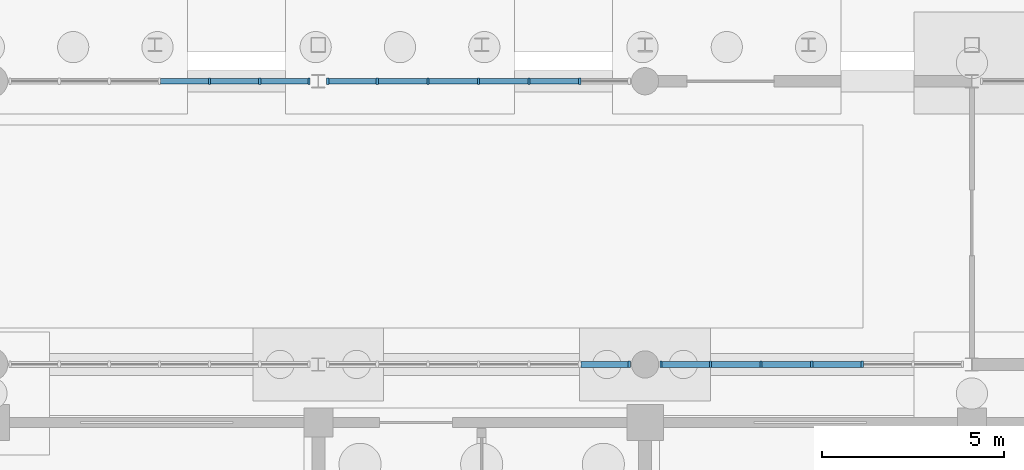
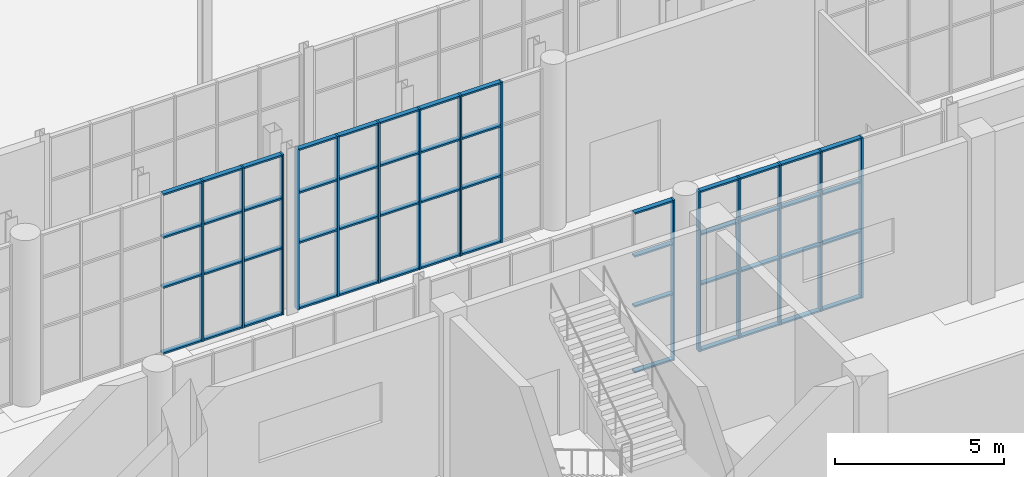
# One storey, part 64 of 131: 67 members, 4 elements without a shape of their own.
"""IFC4 building model written with IfcOpenShell, lengths in metres."""

from ifc_helpers import new_model, si_unit, direction, frame, origin, origin_2d, place, context, subcontext, project, spatial, rectangle, extrude, material, layer, layer_set, material_profile, profile_set, type_object, element, aggregate, save


model = new_model("IFC4")

# Units and contexts
model_context = context("Model", 3, precision=1e-05, world=origin(), true_north=direction((0.0, 1.0)))
body_context = subcontext(model_context, "Body", "Model", "MODEL_VIEW")
ifc_project = project(units=[si_unit("LENGTHUNIT", "METRE"), si_unit("AREAUNIT", "SQUARE_METRE"), si_unit("VOLUMEUNIT", "CUBIC_METRE"), si_unit("PLANEANGLEUNIT", "RADIAN"), si_unit("MASSUNIT", "GRAM", prefix="KILO")], contexts=[model_context])

# Site, building, storey
site_placement = place(None, origin())
site = spatial("IfcSite", under=ifc_project, at=site_placement, CompositionType="ELEMENT")
building_placement = place(site_placement, origin())
building = spatial("IfcBuilding", under=site, at=building_placement, Name="Cazmaro Siding Exhibition Halls", CompositionType="ELEMENT")
storey_placement = place(building_placement, origin())
storey = spatial("IfcBuildingStorey", under=building, at=storey_placement, Name="L00", CompositionType="ELEMENT", Elevation=0.0)

# Curtain wall, members
ifc_material_1 = material(Name="Anodized Bronze Aluminum and Solar-Control Low-E Glazing", Category="aluminium")
ifc_layer = layer(ifc_material_1, 0.179931640625)
ifc_layer_set = layer_set([ifc_layer], Name="Anodized Bronze Aluminum and Solar-Control Low-E Glazing")
curtain_wall_type = type_object("IfcCurtainWallType", Name="CWS-01", PredefinedType="USERDEFINED", material=ifc_layer_set)
curtain_wall_1_placement = place(storey_placement, origin())
curtain_wall_1 = element("IfcCurtainWall", 1, at=curtain_wall_1_placement, inside=storey, type_object=curtain_wall_type, Name="Glazed Curtain Wall CWS-01 CW-191", ObjectType="GLAZED CURTAIN WALL", PredefinedType="USERDEFINED")
ifc_material_2 = material(Name="Anodized Bronze Extruded Aluminum", Category="aluminium")
ifc_material_profile_1 = material_profile(ifc_material_2, rectangle(XDim=0.179931640625, YDim=0.06005859375, at=origin_2d()), Name="CWM-01")
ifc_profile_set_1 = profile_set([ifc_material_profile_1], Name="Anodized Bronze Extruded Aluminum")
member_type_1 = type_object("IfcMemberType", Name="CWM-01", PredefinedType="MULLION", material=ifc_profile_set_1)
member_1_placement = place(storey_placement, frame((134.739990234375, 63.0, 0.0), z_axis=(0.0, 0.0, 1.0), x_axis=(0.0, -1.0, 0.0)))
member_1 = element("IfcMember", 2, at=member_1_placement, type_object=member_type_1, Name="CWS-01 mullion 1", PredefinedType="MULLION", context=body_context, shape_type="SweptSolid", body=[
    extrude(rectangle(XDim=0.179931640625, YDim=0.06005859375, at=origin_2d()), origin(), (0.0, 0.0, 1.0), 5.780029296875),
])
member_2_placement = place(storey_placement, frame((133.388916015625, 63.0, 0.0), z_axis=(0.0, 0.0, 1.0), x_axis=(0.0, -1.0, 0.0)))
member_2 = element("IfcMember", 3, at=member_2_placement, type_object=member_type_1, Name="CWS-01 mullion 2", PredefinedType="MULLION", context=body_context, shape_type="SweptSolid", body=[
    extrude(rectangle(XDim=0.179931640625, YDim=0.06005859375, at=origin_2d()), origin(), (0.0, 0.0, 1.0), 5.780029296875),
])
member_3_placement = place(storey_placement, frame((132.007568359375, 63.0, 0.0), z_axis=(0.0, 0.0, 1.0), x_axis=(0.0, -1.0, 0.0)))
member_3 = element("IfcMember", 4, at=member_3_placement, type_object=member_type_1, Name="CWS-01 mullion 3", PredefinedType="MULLION", context=body_context, shape_type="SweptSolid", body=[
    extrude(rectangle(XDim=0.179931640625, YDim=0.06005859375, at=origin_2d()), origin(), (0.0, 0.0, 1.0), 5.780029296875),
])

# Curtain wall, member
curtain_wall_2_placement = place(storey_placement, origin())
curtain_wall_2 = element("IfcCurtainWall", 5, at=curtain_wall_2_placement, inside=storey, type_object=curtain_wall_type, Name="Glazed Curtain Wall CWS-01 CW-196", ObjectType="GLAZED CURTAIN WALL", PredefinedType="USERDEFINED")
member_4_placement = place(storey_placement, frame((143.56201171875, 55.199951171875, 0.0), z_axis=(0.0, 0.0, 1.0), x_axis=(0.0, 1.0, 0.0)))
member_4 = element("IfcMember", 6, at=member_4_placement, type_object=member_type_1, Name="CWS-01 mullion 7", PredefinedType="MULLION", context=body_context, shape_type="SweptSolid", body=[
    extrude(rectangle(XDim=0.179931640625, YDim=0.06005859375, at=origin_2d()), origin(), (0.0, 0.0, 1.0), 5.780029296875),
])

# Curtain wall, members
curtain_wall_3_placement = place(storey_placement, origin())
curtain_wall_3 = element("IfcCurtainWall", 7, at=curtain_wall_3_placement, inside=storey, type_object=curtain_wall_type, Name="Glazed Curtain Wall CWS-01 CW-197", ObjectType="GLAZED CURTAIN WALL", PredefinedType="USERDEFINED")
member_5_placement = place(storey_placement, frame((142.1982421875, 63.0, 0.0), z_axis=(0.0, 0.0, 1.0), x_axis=(0.0, -1.0, 0.0)))
member_5 = element("IfcMember", 8, at=member_5_placement, type_object=member_type_1, Name="CWS-01 mullion 2", PredefinedType="MULLION", context=body_context, shape_type="SweptSolid", body=[
    extrude(rectangle(XDim=0.179931640625, YDim=0.06005859375, at=origin_2d()), origin(), (0.0, 0.0, 1.0), 5.780029296875),
])
member_6_placement = place(storey_placement, frame((140.8046875, 63.0, 0.0), z_axis=(0.0, 0.0, 1.0), x_axis=(0.0, -1.0, 0.0)))
member_6 = element("IfcMember", 9, at=member_6_placement, type_object=member_type_1, Name="CWS-01 mullion 3", PredefinedType="MULLION", context=body_context, shape_type="SweptSolid", body=[
    extrude(rectangle(XDim=0.179931640625, YDim=0.06005859375, at=origin_2d()), origin(), (0.0, 0.0, 1.0), 5.780029296875),
])
member_7_placement = place(storey_placement, frame((139.410888671875, 63.0, 0.0), z_axis=(0.0, 0.0, 1.0), x_axis=(0.0, -1.0, 0.0)))
member_7 = element("IfcMember", 10, at=member_7_placement, type_object=member_type_1, Name="CWS-01 mullion 4", PredefinedType="MULLION", context=body_context, shape_type="SweptSolid", body=[
    extrude(rectangle(XDim=0.179931640625, YDim=0.06005859375, at=origin_2d()), origin(), (0.0, 0.0, 1.0), 5.780029296875),
])
member_8_placement = place(storey_placement, frame((138.017333984375, 63.0, 0.0), z_axis=(0.0, 0.0, 1.0), x_axis=(0.0, -1.0, 0.0)))
member_8 = element("IfcMember", 11, at=member_8_placement, type_object=member_type_1, Name="CWS-01 mullion 5", PredefinedType="MULLION", context=body_context, shape_type="SweptSolid", body=[
    extrude(rectangle(XDim=0.179931640625, YDim=0.06005859375, at=origin_2d()), origin(), (0.0, 0.0, 1.0), 5.780029296875),
])
member_9_placement = place(storey_placement, frame((136.623779296875, 63.0, 0.0), z_axis=(0.0, 0.0, 1.0), x_axis=(0.0, -1.0, 0.0)))
member_9 = element("IfcMember", 12, at=member_9_placement, type_object=member_type_1, Name="CWS-01 mullion 6", PredefinedType="MULLION", context=body_context, shape_type="SweptSolid", body=[
    extrude(rectangle(XDim=0.179931640625, YDim=0.06005859375, at=origin_2d()), origin(), (0.0, 0.0, 1.0), 5.780029296875),
])
member_10_placement = place(storey_placement, frame((135.260009765625, 63.0, 0.0), z_axis=(0.0, 0.0, 1.0), x_axis=(0.0, -1.0, 0.0)))
member_10 = element("IfcMember", 13, at=member_10_placement, type_object=member_type_1, Name="CWS-01 mullion 7", PredefinedType="MULLION", context=body_context, shape_type="SweptSolid", body=[
    extrude(rectangle(XDim=0.179931640625, YDim=0.06005859375, at=origin_2d()), origin(), (0.0, 0.0, 1.0), 5.780029296875),
])

curtain_wall_4_placement = place(storey_placement, origin())
curtain_wall_4 = element("IfcCurtainWall", 14, at=curtain_wall_4_placement, inside=storey, type_object=curtain_wall_type, Name="Glazed Curtain Wall CWS-01 CW-200", ObjectType="GLAZED CURTAIN WALL", PredefinedType="USERDEFINED")
member_11_placement = place(storey_placement, frame((144.43798828125, 55.199951171875, 0.0), z_axis=(0.0, 0.0, 1.0), x_axis=(0.0, 1.0, 0.0)))
member_11 = element("IfcMember", 15, at=member_11_placement, type_object=member_type_1, Name="CWS-01 mullion 1", PredefinedType="MULLION", context=body_context, shape_type="SweptSolid", body=[
    extrude(rectangle(XDim=0.179931640625, YDim=0.06005859375, at=origin_2d()), origin(), (0.0, 0.0, 1.0), 5.780029296875),
])
member_12_placement = place(storey_placement, frame((145.8017578125, 55.199951171875, 0.0), z_axis=(0.0, 0.0, 1.0), x_axis=(0.0, 1.0, 0.0)))
member_12 = element("IfcMember", 16, at=member_12_placement, type_object=member_type_1, Name="CWS-01 mullion 2", PredefinedType="MULLION", context=body_context, shape_type="SweptSolid", body=[
    extrude(rectangle(XDim=0.179931640625, YDim=0.06005859375, at=origin_2d()), origin(), (0.0, 0.0, 1.0), 5.780029296875),
])
member_13_placement = place(storey_placement, frame((147.1953125, 55.199951171875, 0.0), z_axis=(0.0, 0.0, 1.0), x_axis=(0.0, 1.0, 0.0)))
member_13 = element("IfcMember", 17, at=member_13_placement, type_object=member_type_1, Name="CWS-01 mullion 3", PredefinedType="MULLION", context=body_context, shape_type="SweptSolid", body=[
    extrude(rectangle(XDim=0.179931640625, YDim=0.06005859375, at=origin_2d()), origin(), (0.0, 0.0, 1.0), 5.780029296875),
])
member_14_placement = place(storey_placement, frame((148.589111328125, 55.199951171875, 0.0), z_axis=(0.0, 0.0, 1.0), x_axis=(0.0, 1.0, 0.0)))
member_14 = element("IfcMember", 18, at=member_14_placement, type_object=member_type_1, Name="CWS-01 mullion 4", PredefinedType="MULLION", context=body_context, shape_type="SweptSolid", body=[
    extrude(rectangle(XDim=0.179931640625, YDim=0.06005859375, at=origin_2d()), origin(), (0.0, 0.0, 1.0), 5.780029296875),
])
member_15_placement = place(storey_placement, frame((149.982666015625, 55.199951171875, 0.0), z_axis=(0.0, 0.0, 1.0), x_axis=(0.0, 1.0, 0.0)))
member_15 = element("IfcMember", 19, at=member_15_placement, type_object=member_type_1, Name="CWS-01 mullion 5", PredefinedType="MULLION", context=body_context, shape_type="SweptSolid", body=[
    extrude(rectangle(XDim=0.179931640625, YDim=0.06005859375, at=origin_2d()), origin(), (0.0, 0.0, 1.0), 5.780029296875),
])

# Member
ifc_material_3 = material(Name="Anodized Bronze Extruded Aluminum", Category="aluminium")
ifc_material_profile_2 = material_profile(ifc_material_3, rectangle(XDim=0.159912109375, YDim=0.06005859375, at=origin_2d()), Name="CWT-01")
ifc_profile_set_2 = profile_set([ifc_material_profile_2], Name="Anodized Bronze Extruded Aluminum")
member_type_2 = type_object("IfcMemberType", Name="CWT-01", PredefinedType="MULLION", material=ifc_profile_set_2)
member_16_placement = place(storey_placement, frame((134.7099609375, 63.0, 0.030029296875), z_axis=(-1.0, 0.0, 0.0), x_axis=(0.0, -1.0, 0.0)))
member_16 = element("IfcMember", 20, at=member_16_placement, type_object=member_type_2, Name="CWS-01 transom 1.1", ObjectType="TRANSOM", PredefinedType="USERDEFINED", context=body_context, shape_type="SweptSolid", body=[
    extrude(rectangle(XDim=0.159912109375, YDim=0.06005859375, at=origin_2d()), origin(), (0.0, 0.0, 1.0), 1.291015625),
])

member_17_placement = place(storey_placement, frame((134.7099609375, 63.0, 2.39990234375), z_axis=(-1.0, 0.0, 0.0), x_axis=(0.0, -1.0, 0.0)))
member_17 = element("IfcMember", 21, at=member_17_placement, type_object=member_type_2, Name="CWS-01 transom 1.2", ObjectType="TRANSOM", PredefinedType="USERDEFINED", context=body_context, shape_type="SweptSolid", body=[
    extrude(rectangle(XDim=0.159912109375, YDim=0.06005859375, at=origin_2d()), origin(), (0.0, 0.0, 1.0), 1.291015625),
])

member_18_placement = place(storey_placement, frame((134.7099609375, 63.0, 4.199951171875), z_axis=(-1.0, 0.0, 0.0), x_axis=(0.0, -1.0, 0.0)))
member_18 = element("IfcMember", 22, at=member_18_placement, type_object=member_type_2, Name="CWS-01 transom 1.3", ObjectType="TRANSOM", PredefinedType="USERDEFINED", context=body_context, shape_type="SweptSolid", body=[
    extrude(rectangle(XDim=0.159912109375, YDim=0.06005859375, at=origin_2d()), origin(), (0.0, 0.0, 1.0), 1.291015625),
])

member_19_placement = place(storey_placement, frame((134.7099609375, 63.0, 5.75), z_axis=(-1.0, 0.0, 0.0), x_axis=(0.0, -1.0, 0.0)))
member_19 = element("IfcMember", 23, at=member_19_placement, type_object=member_type_2, Name="CWS-01 transom 1.4", ObjectType="TRANSOM", PredefinedType="USERDEFINED", context=body_context, shape_type="SweptSolid", body=[
    extrude(rectangle(XDim=0.159912109375, YDim=0.06005859375, at=origin_2d()), origin(), (0.0, 0.0, 1.0), 1.291015625),
])

member_20_placement = place(storey_placement, frame((133.35888671875, 63.0, 0.030029296875), z_axis=(-1.0, 0.0, 0.0), x_axis=(0.0, -1.0, 0.0)))
member_20 = element("IfcMember", 24, at=member_20_placement, type_object=member_type_2, Name="CWS-01 transom 2.1", ObjectType="TRANSOM", PredefinedType="USERDEFINED", context=body_context, shape_type="SweptSolid", body=[
    extrude(rectangle(XDim=0.159912109375, YDim=0.06005859375, at=origin_2d()), origin(), (0.0, 0.0, 1.0), 1.3212890625),
])

member_21_placement = place(storey_placement, frame((133.35888671875, 63.0, 2.39990234375), z_axis=(-1.0, 0.0, 0.0), x_axis=(0.0, -1.0, 0.0)))
member_21 = element("IfcMember", 25, at=member_21_placement, type_object=member_type_2, Name="CWS-01 transom 2.2", ObjectType="TRANSOM", PredefinedType="USERDEFINED", context=body_context, shape_type="SweptSolid", body=[
    extrude(rectangle(XDim=0.159912109375, YDim=0.06005859375, at=origin_2d()), origin(), (0.0, 0.0, 1.0), 1.3212890625),
])

member_22_placement = place(storey_placement, frame((133.35888671875, 63.0, 4.199951171875), z_axis=(-1.0, 0.0, 0.0), x_axis=(0.0, -1.0, 0.0)))
member_22 = element("IfcMember", 26, at=member_22_placement, type_object=member_type_2, Name="CWS-01 transom 2.3", ObjectType="TRANSOM", PredefinedType="USERDEFINED", context=body_context, shape_type="SweptSolid", body=[
    extrude(rectangle(XDim=0.159912109375, YDim=0.06005859375, at=origin_2d()), origin(), (0.0, 0.0, 1.0), 1.3212890625),
])

member_23_placement = place(storey_placement, frame((133.35888671875, 63.0, 5.75), z_axis=(-1.0, 0.0, 0.0), x_axis=(0.0, -1.0, 0.0)))
member_23 = element("IfcMember", 27, at=member_23_placement, type_object=member_type_2, Name="CWS-01 transom 2.4", ObjectType="TRANSOM", PredefinedType="USERDEFINED", context=body_context, shape_type="SweptSolid", body=[
    extrude(rectangle(XDim=0.159912109375, YDim=0.06005859375, at=origin_2d()), origin(), (0.0, 0.0, 1.0), 1.3212890625),
])

member_24_placement = place(storey_placement, frame((131.977783203125, 63.0, 0.030029296875), z_axis=(-1.0, 0.0, 0.0), x_axis=(0.0, -1.0, 0.0)))
member_24 = element("IfcMember", 28, at=member_24_placement, type_object=member_type_2, Name="CWS-01 transom 3.1", ObjectType="TRANSOM", PredefinedType="USERDEFINED", context=body_context, shape_type="SweptSolid", body=[
    extrude(rectangle(XDim=0.159912109375, YDim=0.06005859375, at=origin_2d()), origin(), (0.0, 0.0, 1.0), 1.3212890625),
])

member_25_placement = place(storey_placement, frame((131.977783203125, 63.0, 2.39990234375), z_axis=(-1.0, 0.0, 0.0), x_axis=(0.0, -1.0, 0.0)))
member_25 = element("IfcMember", 29, at=member_25_placement, type_object=member_type_2, Name="CWS-01 transom 3.2", ObjectType="TRANSOM", PredefinedType="USERDEFINED", context=body_context, shape_type="SweptSolid", body=[
    extrude(rectangle(XDim=0.159912109375, YDim=0.06005859375, at=origin_2d()), origin(), (0.0, 0.0, 1.0), 1.3212890625),
])

member_26_placement = place(storey_placement, frame((131.977783203125, 63.0, 4.199951171875), z_axis=(-1.0, 0.0, 0.0), x_axis=(0.0, -1.0, 0.0)))
member_26 = element("IfcMember", 30, at=member_26_placement, type_object=member_type_2, Name="CWS-01 transom 3.3", ObjectType="TRANSOM", PredefinedType="USERDEFINED", context=body_context, shape_type="SweptSolid", body=[
    extrude(rectangle(XDim=0.159912109375, YDim=0.06005859375, at=origin_2d()), origin(), (0.0, 0.0, 1.0), 1.3212890625),
])

member_27_placement = place(storey_placement, frame((131.977783203125, 63.0, 5.75), z_axis=(-1.0, 0.0, 0.0), x_axis=(0.0, -1.0, 0.0)))
member_27 = element("IfcMember", 31, at=member_27_placement, type_object=member_type_2, Name="CWS-01 transom 3.4", ObjectType="TRANSOM", PredefinedType="USERDEFINED", context=body_context, shape_type="SweptSolid", body=[
    extrude(rectangle(XDim=0.159912109375, YDim=0.06005859375, at=origin_2d()), origin(), (0.0, 0.0, 1.0), 1.3212890625),
])

aggregate(curtain_wall_1, [member_1, member_2, member_3, member_16, member_17, member_18, member_19, member_20, member_21, member_22, member_23, member_24, member_25, member_26, member_27])

member_28_placement = place(storey_placement, frame((142.228271484375, 55.199951171875, 0.030029296875), z_axis=(1.0, 0.0, 0.0), x_axis=(0.0, 1.0, 0.0)))
member_28 = element("IfcMember", 32, at=member_28_placement, type_object=member_type_2, Name="CWS-01 transom 6.1", ObjectType="TRANSOM", PredefinedType="USERDEFINED", context=body_context, shape_type="SweptSolid", body=[
    extrude(rectangle(XDim=0.159912109375, YDim=0.06005859375, at=origin_2d()), origin(), (0.0, 0.0, 1.0), 1.3037109375),
])

member_29_placement = place(storey_placement, frame((142.228271484375, 55.199951171875, 2.39990234375), z_axis=(1.0, 0.0, 0.0), x_axis=(0.0, 1.0, 0.0)))
member_29 = element("IfcMember", 33, at=member_29_placement, type_object=member_type_2, Name="CWS-01 transom 6.2", ObjectType="TRANSOM", PredefinedType="USERDEFINED", context=body_context, shape_type="SweptSolid", body=[
    extrude(rectangle(XDim=0.159912109375, YDim=0.06005859375, at=origin_2d()), origin(), (0.0, 0.0, 1.0), 1.3037109375),
])

member_30_placement = place(storey_placement, frame((142.228271484375, 55.199951171875, 4.199951171875), z_axis=(1.0, 0.0, 0.0), x_axis=(0.0, 1.0, 0.0)))
member_30 = element("IfcMember", 34, at=member_30_placement, type_object=member_type_2, Name="CWS-01 transom 6.3", ObjectType="TRANSOM", PredefinedType="USERDEFINED", context=body_context, shape_type="SweptSolid", body=[
    extrude(rectangle(XDim=0.159912109375, YDim=0.06005859375, at=origin_2d()), origin(), (0.0, 0.0, 1.0), 1.3037109375),
])

member_31_placement = place(storey_placement, frame((142.228271484375, 55.199951171875, 5.75), z_axis=(1.0, 0.0, 0.0), x_axis=(0.0, 1.0, 0.0)))
member_31 = element("IfcMember", 35, at=member_31_placement, type_object=member_type_2, Name="CWS-01 transom 6.4", ObjectType="TRANSOM", PredefinedType="USERDEFINED", context=body_context, shape_type="SweptSolid", body=[
    extrude(rectangle(XDim=0.159912109375, YDim=0.06005859375, at=origin_2d()), origin(), (0.0, 0.0, 1.0), 1.3037109375),
])

aggregate(curtain_wall_2, [member_4, member_28, member_29, member_30, member_31])

member_32_placement = place(storey_placement, frame((142.168212890625, 63.0, 0.030029296875), z_axis=(-1.0, 0.0, 0.0), x_axis=(0.0, -1.0, 0.0)))
member_32 = element("IfcMember", 36, at=member_32_placement, type_object=member_type_2, Name="CWS-01 transom 2.1", ObjectType="TRANSOM", PredefinedType="USERDEFINED", context=body_context, shape_type="SweptSolid", body=[
    extrude(rectangle(XDim=0.159912109375, YDim=0.06005859375, at=origin_2d()), origin(), (0.0, 0.0, 1.0), 1.33349609375),
])

member_33_placement = place(storey_placement, frame((142.168212890625, 63.0, 2.39990234375), z_axis=(-1.0, 0.0, 0.0), x_axis=(0.0, -1.0, 0.0)))
member_33 = element("IfcMember", 37, at=member_33_placement, type_object=member_type_2, Name="CWS-01 transom 2.2", ObjectType="TRANSOM", PredefinedType="USERDEFINED", context=body_context, shape_type="SweptSolid", body=[
    extrude(rectangle(XDim=0.159912109375, YDim=0.06005859375, at=origin_2d()), origin(), (0.0, 0.0, 1.0), 1.33349609375),
])

member_34_placement = place(storey_placement, frame((142.168212890625, 63.0, 4.199951171875), z_axis=(-1.0, 0.0, 0.0), x_axis=(0.0, -1.0, 0.0)))
member_34 = element("IfcMember", 38, at=member_34_placement, type_object=member_type_2, Name="CWS-01 transom 2.3", ObjectType="TRANSOM", PredefinedType="USERDEFINED", context=body_context, shape_type="SweptSolid", body=[
    extrude(rectangle(XDim=0.159912109375, YDim=0.06005859375, at=origin_2d()), origin(), (0.0, 0.0, 1.0), 1.33349609375),
])

member_35_placement = place(storey_placement, frame((142.168212890625, 63.0, 5.75), z_axis=(-1.0, 0.0, 0.0), x_axis=(0.0, -1.0, 0.0)))
member_35 = element("IfcMember", 39, at=member_35_placement, type_object=member_type_2, Name="CWS-01 transom 2.4", ObjectType="TRANSOM", PredefinedType="USERDEFINED", context=body_context, shape_type="SweptSolid", body=[
    extrude(rectangle(XDim=0.159912109375, YDim=0.06005859375, at=origin_2d()), origin(), (0.0, 0.0, 1.0), 1.33349609375),
])

member_36_placement = place(storey_placement, frame((140.774658203125, 63.0, 0.030029296875), z_axis=(-1.0, 0.0, 0.0), x_axis=(0.0, -1.0, 0.0)))
member_36 = element("IfcMember", 40, at=member_36_placement, type_object=member_type_2, Name="CWS-01 transom 3.1", ObjectType="TRANSOM", PredefinedType="USERDEFINED", context=body_context, shape_type="SweptSolid", body=[
    extrude(rectangle(XDim=0.159912109375, YDim=0.06005859375, at=origin_2d()), origin(), (0.0, 0.0, 1.0), 1.333740234375),
])

member_37_placement = place(storey_placement, frame((140.774658203125, 63.0, 2.39990234375), z_axis=(-1.0, 0.0, 0.0), x_axis=(0.0, -1.0, 0.0)))
member_37 = element("IfcMember", 41, at=member_37_placement, type_object=member_type_2, Name="CWS-01 transom 3.2", ObjectType="TRANSOM", PredefinedType="USERDEFINED", context=body_context, shape_type="SweptSolid", body=[
    extrude(rectangle(XDim=0.159912109375, YDim=0.06005859375, at=origin_2d()), origin(), (0.0, 0.0, 1.0), 1.333740234375),
])

member_38_placement = place(storey_placement, frame((140.774658203125, 63.0, 4.199951171875), z_axis=(-1.0, 0.0, 0.0), x_axis=(0.0, -1.0, 0.0)))
member_38 = element("IfcMember", 42, at=member_38_placement, type_object=member_type_2, Name="CWS-01 transom 3.3", ObjectType="TRANSOM", PredefinedType="USERDEFINED", context=body_context, shape_type="SweptSolid", body=[
    extrude(rectangle(XDim=0.159912109375, YDim=0.06005859375, at=origin_2d()), origin(), (0.0, 0.0, 1.0), 1.333740234375),
])

member_39_placement = place(storey_placement, frame((140.774658203125, 63.0, 5.75), z_axis=(-1.0, 0.0, 0.0), x_axis=(0.0, -1.0, 0.0)))
member_39 = element("IfcMember", 43, at=member_39_placement, type_object=member_type_2, Name="CWS-01 transom 3.4", ObjectType="TRANSOM", PredefinedType="USERDEFINED", context=body_context, shape_type="SweptSolid", body=[
    extrude(rectangle(XDim=0.159912109375, YDim=0.06005859375, at=origin_2d()), origin(), (0.0, 0.0, 1.0), 1.333740234375),
])

member_40_placement = place(storey_placement, frame((139.381103515625, 63.0, 0.030029296875), z_axis=(-1.0, 0.0, 0.0), x_axis=(0.0, -1.0, 0.0)))
member_40 = element("IfcMember", 44, at=member_40_placement, type_object=member_type_2, Name="CWS-01 transom 4.1", ObjectType="TRANSOM", PredefinedType="USERDEFINED", context=body_context, shape_type="SweptSolid", body=[
    extrude(rectangle(XDim=0.159912109375, YDim=0.06005859375, at=origin_2d()), origin(), (0.0, 0.0, 1.0), 1.333740234375),
])

member_41_placement = place(storey_placement, frame((139.381103515625, 63.0, 2.39990234375), z_axis=(-1.0, 0.0, 0.0), x_axis=(0.0, -1.0, 0.0)))
member_41 = element("IfcMember", 45, at=member_41_placement, type_object=member_type_2, Name="CWS-01 transom 4.2", ObjectType="TRANSOM", PredefinedType="USERDEFINED", context=body_context, shape_type="SweptSolid", body=[
    extrude(rectangle(XDim=0.159912109375, YDim=0.06005859375, at=origin_2d()), origin(), (0.0, 0.0, 1.0), 1.333740234375),
])

member_42_placement = place(storey_placement, frame((139.381103515625, 63.0, 4.199951171875), z_axis=(-1.0, 0.0, 0.0), x_axis=(0.0, -1.0, 0.0)))
member_42 = element("IfcMember", 46, at=member_42_placement, type_object=member_type_2, Name="CWS-01 transom 4.3", ObjectType="TRANSOM", PredefinedType="USERDEFINED", context=body_context, shape_type="SweptSolid", body=[
    extrude(rectangle(XDim=0.159912109375, YDim=0.06005859375, at=origin_2d()), origin(), (0.0, 0.0, 1.0), 1.333740234375),
])

member_43_placement = place(storey_placement, frame((139.381103515625, 63.0, 5.75), z_axis=(-1.0, 0.0, 0.0), x_axis=(0.0, -1.0, 0.0)))
member_43 = element("IfcMember", 47, at=member_43_placement, type_object=member_type_2, Name="CWS-01 transom 4.4", ObjectType="TRANSOM", PredefinedType="USERDEFINED", context=body_context, shape_type="SweptSolid", body=[
    extrude(rectangle(XDim=0.159912109375, YDim=0.06005859375, at=origin_2d()), origin(), (0.0, 0.0, 1.0), 1.333740234375),
])

member_44_placement = place(storey_placement, frame((137.9873046875, 63.0, 0.030029296875), z_axis=(-1.0, 0.0, 0.0), x_axis=(0.0, -1.0, 0.0)))
member_44 = element("IfcMember", 48, at=member_44_placement, type_object=member_type_2, Name="CWS-01 transom 5.1", ObjectType="TRANSOM", PredefinedType="USERDEFINED", context=body_context, shape_type="SweptSolid", body=[
    extrude(rectangle(XDim=0.159912109375, YDim=0.06005859375, at=origin_2d()), origin(), (0.0, 0.0, 1.0), 1.333740234375),
])

member_45_placement = place(storey_placement, frame((137.9873046875, 63.0, 2.39990234375), z_axis=(-1.0, 0.0, 0.0), x_axis=(0.0, -1.0, 0.0)))
member_45 = element("IfcMember", 49, at=member_45_placement, type_object=member_type_2, Name="CWS-01 transom 5.2", ObjectType="TRANSOM", PredefinedType="USERDEFINED", context=body_context, shape_type="SweptSolid", body=[
    extrude(rectangle(XDim=0.159912109375, YDim=0.06005859375, at=origin_2d()), origin(), (0.0, 0.0, 1.0), 1.333740234375),
])

member_46_placement = place(storey_placement, frame((137.9873046875, 63.0, 4.199951171875), z_axis=(-1.0, 0.0, 0.0), x_axis=(0.0, -1.0, 0.0)))
member_46 = element("IfcMember", 50, at=member_46_placement, type_object=member_type_2, Name="CWS-01 transom 5.3", ObjectType="TRANSOM", PredefinedType="USERDEFINED", context=body_context, shape_type="SweptSolid", body=[
    extrude(rectangle(XDim=0.159912109375, YDim=0.06005859375, at=origin_2d()), origin(), (0.0, 0.0, 1.0), 1.333740234375),
])

member_47_placement = place(storey_placement, frame((137.9873046875, 63.0, 5.75), z_axis=(-1.0, 0.0, 0.0), x_axis=(0.0, -1.0, 0.0)))
member_47 = element("IfcMember", 51, at=member_47_placement, type_object=member_type_2, Name="CWS-01 transom 5.4", ObjectType="TRANSOM", PredefinedType="USERDEFINED", context=body_context, shape_type="SweptSolid", body=[
    extrude(rectangle(XDim=0.159912109375, YDim=0.06005859375, at=origin_2d()), origin(), (0.0, 0.0, 1.0), 1.333740234375),
])

member_48_placement = place(storey_placement, frame((136.59375, 63.0, 0.030029296875), z_axis=(-1.0, 0.0, 0.0), x_axis=(0.0, -1.0, 0.0)))
member_48 = element("IfcMember", 52, at=member_48_placement, type_object=member_type_2, Name="CWS-01 transom 6.1", ObjectType="TRANSOM", PredefinedType="USERDEFINED", context=body_context, shape_type="SweptSolid", body=[
    extrude(rectangle(XDim=0.159912109375, YDim=0.06005859375, at=origin_2d()), origin(), (0.0, 0.0, 1.0), 1.3037109375),
])

member_49_placement = place(storey_placement, frame((136.59375, 63.0, 2.39990234375), z_axis=(-1.0, 0.0, 0.0), x_axis=(0.0, -1.0, 0.0)))
member_49 = element("IfcMember", 53, at=member_49_placement, type_object=member_type_2, Name="CWS-01 transom 6.2", ObjectType="TRANSOM", PredefinedType="USERDEFINED", context=body_context, shape_type="SweptSolid", body=[
    extrude(rectangle(XDim=0.159912109375, YDim=0.06005859375, at=origin_2d()), origin(), (0.0, 0.0, 1.0), 1.3037109375),
])

member_50_placement = place(storey_placement, frame((136.59375, 63.0, 4.199951171875), z_axis=(-1.0, 0.0, 0.0), x_axis=(0.0, -1.0, 0.0)))
member_50 = element("IfcMember", 54, at=member_50_placement, type_object=member_type_2, Name="CWS-01 transom 6.3", ObjectType="TRANSOM", PredefinedType="USERDEFINED", context=body_context, shape_type="SweptSolid", body=[
    extrude(rectangle(XDim=0.159912109375, YDim=0.06005859375, at=origin_2d()), origin(), (0.0, 0.0, 1.0), 1.3037109375),
])

member_51_placement = place(storey_placement, frame((136.59375, 63.0, 5.75), z_axis=(-1.0, 0.0, 0.0), x_axis=(0.0, -1.0, 0.0)))
member_51 = element("IfcMember", 55, at=member_51_placement, type_object=member_type_2, Name="CWS-01 transom 6.4", ObjectType="TRANSOM", PredefinedType="USERDEFINED", context=body_context, shape_type="SweptSolid", body=[
    extrude(rectangle(XDim=0.159912109375, YDim=0.06005859375, at=origin_2d()), origin(), (0.0, 0.0, 1.0), 1.3037109375),
])

aggregate(curtain_wall_3, [member_5, member_6, member_7, member_8, member_9, member_10, member_32, member_33, member_34, member_35, member_36, member_37, member_38, member_39, member_40, member_41, member_42, member_43, member_44, member_45, member_46, member_47, member_48, member_49, member_50, member_51])

member_52_placement = place(storey_placement, frame((144.468017578125, 55.199951171875, 0.030029296875), z_axis=(1.0, 0.0, 0.0), x_axis=(0.0, 1.0, 0.0)))
member_52 = element("IfcMember", 56, at=member_52_placement, type_object=member_type_2, Name="CWS-01 transom 1.1", ObjectType="TRANSOM", PredefinedType="USERDEFINED", context=body_context, shape_type="SweptSolid", body=[
    extrude(rectangle(XDim=0.159912109375, YDim=0.06005859375, at=origin_2d()), origin(), (0.0, 0.0, 1.0), 1.3037109375),
])

member_53_placement = place(storey_placement, frame((144.468017578125, 55.199951171875, 2.39990234375), z_axis=(1.0, 0.0, 0.0), x_axis=(0.0, 1.0, 0.0)))
member_53 = element("IfcMember", 57, at=member_53_placement, type_object=member_type_2, Name="CWS-01 transom 1.2", ObjectType="TRANSOM", PredefinedType="USERDEFINED", context=body_context, shape_type="SweptSolid", body=[
    extrude(rectangle(XDim=0.159912109375, YDim=0.06005859375, at=origin_2d()), origin(), (0.0, 0.0, 1.0), 1.3037109375),
])

member_54_placement = place(storey_placement, frame((144.468017578125, 55.199951171875, 4.199951171875), z_axis=(1.0, 0.0, 0.0), x_axis=(0.0, 1.0, 0.0)))
member_54 = element("IfcMember", 58, at=member_54_placement, type_object=member_type_2, Name="CWS-01 transom 1.3", ObjectType="TRANSOM", PredefinedType="USERDEFINED", context=body_context, shape_type="SweptSolid", body=[
    extrude(rectangle(XDim=0.159912109375, YDim=0.06005859375, at=origin_2d()), origin(), (0.0, 0.0, 1.0), 1.3037109375),
])

member_55_placement = place(storey_placement, frame((144.468017578125, 55.199951171875, 5.75), z_axis=(1.0, 0.0, 0.0), x_axis=(0.0, 1.0, 0.0)))
member_55 = element("IfcMember", 59, at=member_55_placement, type_object=member_type_2, Name="CWS-01 transom 1.4", ObjectType="TRANSOM", PredefinedType="USERDEFINED", context=body_context, shape_type="SweptSolid", body=[
    extrude(rectangle(XDim=0.159912109375, YDim=0.06005859375, at=origin_2d()), origin(), (0.0, 0.0, 1.0), 1.3037109375),
])

member_56_placement = place(storey_placement, frame((145.831787109375, 55.199951171875, 0.030029296875), z_axis=(1.0, 0.0, 0.0), x_axis=(0.0, 1.0, 0.0)))
member_56 = element("IfcMember", 60, at=member_56_placement, type_object=member_type_2, Name="CWS-01 transom 2.1", ObjectType="TRANSOM", PredefinedType="USERDEFINED", context=body_context, shape_type="SweptSolid", body=[
    extrude(rectangle(XDim=0.159912109375, YDim=0.06005859375, at=origin_2d()), origin(), (0.0, 0.0, 1.0), 1.33349609375),
])

member_57_placement = place(storey_placement, frame((145.831787109375, 55.199951171875, 2.39990234375), z_axis=(1.0, 0.0, 0.0), x_axis=(0.0, 1.0, 0.0)))
member_57 = element("IfcMember", 61, at=member_57_placement, type_object=member_type_2, Name="CWS-01 transom 2.2", ObjectType="TRANSOM", PredefinedType="USERDEFINED", context=body_context, shape_type="SweptSolid", body=[
    extrude(rectangle(XDim=0.159912109375, YDim=0.06005859375, at=origin_2d()), origin(), (0.0, 0.0, 1.0), 1.33349609375),
])

member_58_placement = place(storey_placement, frame((145.831787109375, 55.199951171875, 4.199951171875), z_axis=(1.0, 0.0, 0.0), x_axis=(0.0, 1.0, 0.0)))
member_58 = element("IfcMember", 62, at=member_58_placement, type_object=member_type_2, Name="CWS-01 transom 2.3", ObjectType="TRANSOM", PredefinedType="USERDEFINED", context=body_context, shape_type="SweptSolid", body=[
    extrude(rectangle(XDim=0.159912109375, YDim=0.06005859375, at=origin_2d()), origin(), (0.0, 0.0, 1.0), 1.33349609375),
])

member_59_placement = place(storey_placement, frame((145.831787109375, 55.199951171875, 5.75), z_axis=(1.0, 0.0, 0.0), x_axis=(0.0, 1.0, 0.0)))
member_59 = element("IfcMember", 63, at=member_59_placement, type_object=member_type_2, Name="CWS-01 transom 2.4", ObjectType="TRANSOM", PredefinedType="USERDEFINED", context=body_context, shape_type="SweptSolid", body=[
    extrude(rectangle(XDim=0.159912109375, YDim=0.06005859375, at=origin_2d()), origin(), (0.0, 0.0, 1.0), 1.33349609375),
])

member_60_placement = place(storey_placement, frame((147.225341796875, 55.199951171875, 0.030029296875), z_axis=(1.0, 0.0, 0.0), x_axis=(0.0, 1.0, 0.0)))
member_60 = element("IfcMember", 64, at=member_60_placement, type_object=member_type_2, Name="CWS-01 transom 3.1", ObjectType="TRANSOM", PredefinedType="USERDEFINED", context=body_context, shape_type="SweptSolid", body=[
    extrude(rectangle(XDim=0.159912109375, YDim=0.06005859375, at=origin_2d()), origin(), (0.0, 0.0, 1.0), 1.333740234375),
])

member_61_placement = place(storey_placement, frame((147.225341796875, 55.199951171875, 2.39990234375), z_axis=(1.0, 0.0, 0.0), x_axis=(0.0, 1.0, 0.0)))
member_61 = element("IfcMember", 65, at=member_61_placement, type_object=member_type_2, Name="CWS-01 transom 3.2", ObjectType="TRANSOM", PredefinedType="USERDEFINED", context=body_context, shape_type="SweptSolid", body=[
    extrude(rectangle(XDim=0.159912109375, YDim=0.06005859375, at=origin_2d()), origin(), (0.0, 0.0, 1.0), 1.333740234375),
])

member_62_placement = place(storey_placement, frame((147.225341796875, 55.199951171875, 4.199951171875), z_axis=(1.0, 0.0, 0.0), x_axis=(0.0, 1.0, 0.0)))
member_62 = element("IfcMember", 66, at=member_62_placement, type_object=member_type_2, Name="CWS-01 transom 3.3", ObjectType="TRANSOM", PredefinedType="USERDEFINED", context=body_context, shape_type="SweptSolid", body=[
    extrude(rectangle(XDim=0.159912109375, YDim=0.06005859375, at=origin_2d()), origin(), (0.0, 0.0, 1.0), 1.333740234375),
])

member_63_placement = place(storey_placement, frame((147.225341796875, 55.199951171875, 5.75), z_axis=(1.0, 0.0, 0.0), x_axis=(0.0, 1.0, 0.0)))
member_63 = element("IfcMember", 67, at=member_63_placement, type_object=member_type_2, Name="CWS-01 transom 3.4", ObjectType="TRANSOM", PredefinedType="USERDEFINED", context=body_context, shape_type="SweptSolid", body=[
    extrude(rectangle(XDim=0.159912109375, YDim=0.06005859375, at=origin_2d()), origin(), (0.0, 0.0, 1.0), 1.333740234375),
])

member_64_placement = place(storey_placement, frame((148.618896484375, 55.199951171875, 0.030029296875), z_axis=(1.0, 0.0, 0.0), x_axis=(0.0, 1.0, 0.0)))
member_64 = element("IfcMember", 68, at=member_64_placement, type_object=member_type_2, Name="CWS-01 transom 4.1", ObjectType="TRANSOM", PredefinedType="USERDEFINED", context=body_context, shape_type="SweptSolid", body=[
    extrude(rectangle(XDim=0.159912109375, YDim=0.06005859375, at=origin_2d()), origin(), (0.0, 0.0, 1.0), 1.333740234375),
])

member_65_placement = place(storey_placement, frame((148.618896484375, 55.199951171875, 2.39990234375), z_axis=(1.0, 0.0, 0.0), x_axis=(0.0, 1.0, 0.0)))
member_65 = element("IfcMember", 69, at=member_65_placement, type_object=member_type_2, Name="CWS-01 transom 4.2", ObjectType="TRANSOM", PredefinedType="USERDEFINED", context=body_context, shape_type="SweptSolid", body=[
    extrude(rectangle(XDim=0.159912109375, YDim=0.06005859375, at=origin_2d()), origin(), (0.0, 0.0, 1.0), 1.333740234375),
])

member_66_placement = place(storey_placement, frame((148.618896484375, 55.199951171875, 4.199951171875), z_axis=(1.0, 0.0, 0.0), x_axis=(0.0, 1.0, 0.0)))
member_66 = element("IfcMember", 70, at=member_66_placement, type_object=member_type_2, Name="CWS-01 transom 4.3", ObjectType="TRANSOM", PredefinedType="USERDEFINED", context=body_context, shape_type="SweptSolid", body=[
    extrude(rectangle(XDim=0.159912109375, YDim=0.06005859375, at=origin_2d()), origin(), (0.0, 0.0, 1.0), 1.333740234375),
])

member_67_placement = place(storey_placement, frame((148.618896484375, 55.199951171875, 5.75), z_axis=(1.0, 0.0, 0.0), x_axis=(0.0, 1.0, 0.0)))
member_67 = element("IfcMember", 71, at=member_67_placement, type_object=member_type_2, Name="CWS-01 transom 4.4", ObjectType="TRANSOM", PredefinedType="USERDEFINED", context=body_context, shape_type="SweptSolid", body=[
    extrude(rectangle(XDim=0.159912109375, YDim=0.06005859375, at=origin_2d()), origin(), (0.0, 0.0, 1.0), 1.333740234375),
])

aggregate(curtain_wall_4, [member_11, member_12, member_13, member_14, member_15, member_52, member_53, member_54, member_55, member_56, member_57, member_58, member_59, member_60, member_61, member_62, member_63, member_64, member_65, member_66, member_67])

save(model, "model.ifc")
